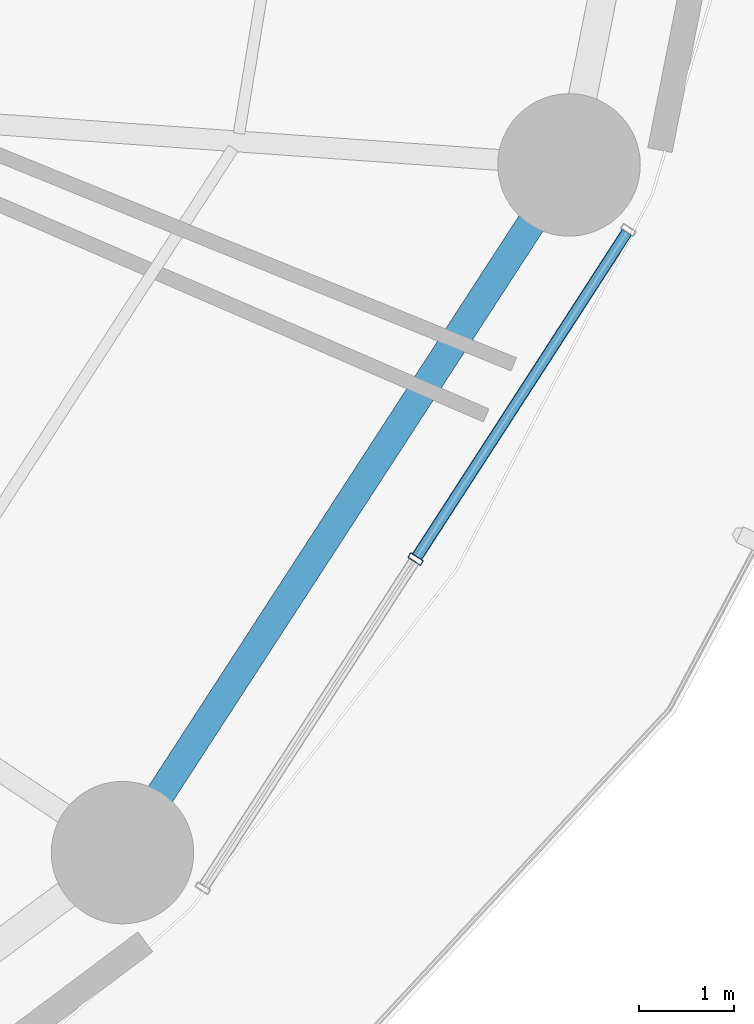
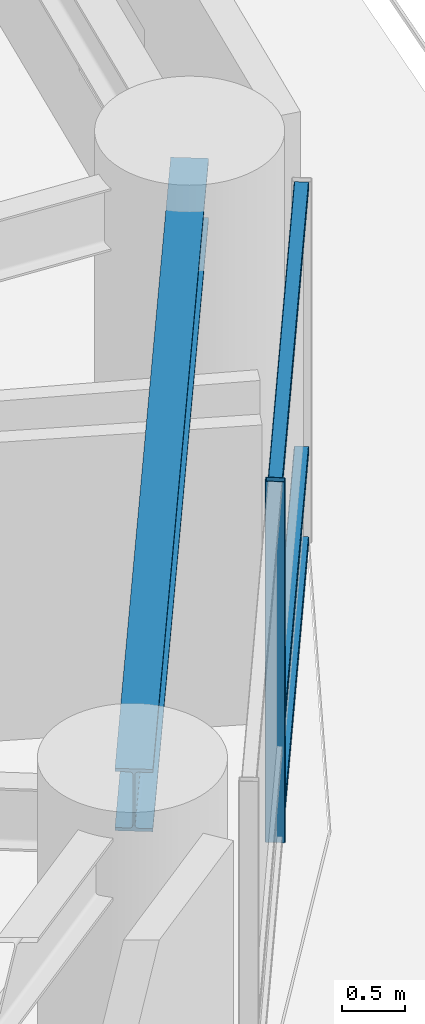
# One storey, part 11 of 35: 4 members, 1 beam, 1 element without a shape of its own.
"""IFC4 building model written with IfcOpenShell, lengths in metres."""

from ifc_helpers import new_model, si_unit, direction, frame, origin, origin_2d, place, context, subcontext, project, spatial, hollow_rectangle, i_section, extrude, material, layer, layer_set, material_profile, profile_set, type_object, element, aggregate, save


model = new_model("IFC4")

# Units and contexts
model_context = context("Model", 3, precision=1e-05, world=origin(), true_north=direction((0.0, 1.0)))
body_context = subcontext(model_context, "Body", "Model", "MODEL_VIEW")
ifc_project = project(units=[si_unit("LENGTHUNIT", "METRE"), si_unit("AREAUNIT", "SQUARE_METRE"), si_unit("VOLUMEUNIT", "CUBIC_METRE"), si_unit("PLANEANGLEUNIT", "RADIAN"), si_unit("MASSUNIT", "GRAM", prefix="KILO")], contexts=[model_context])

# Site, building, storey
site_placement = place(None, origin())
site = spatial("IfcSite", under=ifc_project, at=site_placement, CompositionType="ELEMENT")
building_placement = place(site_placement, origin())
building = spatial("IfcBuilding", under=site, at=building_placement, Name="Kelanora Arch Commons", CompositionType="ELEMENT")
storey_placement = place(building_placement, frame((0.0, 0.0, 22.5)))
storey = spatial("IfcBuildingStorey", under=building, at=storey_placement, Name="L05", CompositionType="ELEMENT", Elevation=22.5)

# Beam
ifc_material_1 = material(Name="Steel S355", Category="steel")
ifc_material_profile_1 = material_profile(ifc_material_1, i_section(OverallWidth=0.300048828125, OverallDepth=0.60009765625, WebThickness=0.015380859375, FlangeThickness=0.030029296875, FilletRadius=0.027099609375, at=origin_2d()), Name="HEB600")
ifc_profile_set_1 = profile_set([ifc_material_profile_1], Name="Steel S355")
beam_type = type_object("IfcBeamType", Name="BM-SPN-Z1", PredefinedType="SPANDREL", material=ifc_profile_set_1)
beam_placement = place(storey_placement, frame((94.8642578125, 42.706298828125, 3.18994140625), z_axis=(0.544583445345, 0.83870666568, 0.0), x_axis=(-0.83870666568, 0.544583445345, 0.0)))
element("IfcBeam", 1, at=beam_placement, inside=storey, type_object=beam_type, Name="Perimeter Spandrel Beam BS-32 L05", PredefinedType="SPANDREL", context=body_context, shape_type="SweptSolid", body=[
    extrude(i_section(OverallWidth=0.300048828125, OverallDepth=0.60009765625, WebThickness=0.015380859375, FlangeThickness=0.030029296875, FilletRadius=0.027099609375, at=origin_2d()), origin(), (0.0, 0.0, 1.0), 8.415283203125),
])

# Curtain wall, members
ifc_material_2 = material(Name="Terracotta ceramic-fritted low-E glass and aluminium", Category="masonry")
ifc_layer = layer(ifc_material_2, 0.159912109375)
ifc_layer_set = layer_set([ifc_layer], Name="Terracotta ceramic-fritted low-E glass and aluminium")
curtain_wall_type = type_object("IfcCurtainWallType", Name="CW-SYS-01", PredefinedType="NOTDEFINED", material=ifc_layer_set)
curtain_wall_placement = place(storey_placement, origin())
curtain_wall = element("IfcCurtainWall", 2, at=curtain_wall_placement, inside=storey, type_object=curtain_wall_type, Name="Unitised Curtain Wall L05-B16", PredefinedType="NOTDEFINED")
ifc_material_3 = material(Name="Powder-coated aluminium terracotta", Category="masonry")
ifc_material_profile_2 = material_profile(ifc_material_3, hollow_rectangle(XDim=0.159912109375, YDim=0.06005859375, WallThickness=0.0048828125, InnerFilletRadius=0.0048828125, OuterFilletRadius=0.010009765625, at=origin_2d()), Name="CWM160x60")
ifc_profile_set_2 = profile_set([ifc_material_profile_2], Name="Powder-coated aluminium terracotta")
member_type_1 = type_object("IfcMemberType", Name="CWM-STD", PredefinedType="MULLION", material=ifc_profile_set_2)
member_1_placement = place(storey_placement, frame((97.830810546875, 45.61328125, 0.0), z_axis=(0.0, 0.0, 1.0), x_axis=(-0.83972982332, 0.543004441812, 0.0)))
member_1 = element("IfcMember", 3, at=member_1_placement, type_object=member_type_1, Name="CW-01 mullion 2", PredefinedType="MULLION", context=body_context, shape_type="SweptSolid", body=[
    extrude(hollow_rectangle(XDim=0.159912109375, YDim=0.06005859375, WallThickness=0.0048828125, InnerFilletRadius=0.0048828125, OuterFilletRadius=0.010009765625, at=origin_2d()), origin(), (0.0, 0.0, 1.0), 3.47509765625),
])
ifc_material_profile_3 = material_profile(ifc_material_3, hollow_rectangle(XDim=0.1201171875, YDim=0.06005859375, WallThickness=0.0048828125, InnerFilletRadius=0.0048828125, OuterFilletRadius=0.010009765625, at=origin_2d()), Name="CWT120x60")
ifc_profile_set_3 = profile_set([ifc_material_profile_3], Name="Powder-coated aluminium terracotta")
member_type_2 = type_object("IfcMemberType", Name="CWT-STD", PredefinedType="USERDEFINED", material=ifc_profile_set_3)
member_2_placement = place(storey_placement, frame((97.84716796875, 45.638671875, 0.030029296875), z_axis=(0.542997414293, 0.839734367566, 0.0), x_axis=(-0.839734367566, 0.542997414293, 0.0)))
member_2 = element("IfcMember", 4, at=member_2_placement, type_object=member_type_2, Name="CW-01 transom 2.1", ObjectType="TRANSOM", PredefinedType="USERDEFINED", context=body_context, shape_type="SweptSolid", body=[
    extrude(hollow_rectangle(XDim=0.1201171875, YDim=0.06005859375, WallThickness=0.0048828125, InnerFilletRadius=0.0048828125, OuterFilletRadius=0.010009765625, at=origin_2d()), origin(), (0.0, 0.0, 1.0), 4.067626953125),
])
member_3_placement = place(storey_placement, frame((97.84716796875, 45.638671875, 0.89990234375), z_axis=(0.542997414293, 0.839734367566, 0.0), x_axis=(-0.839734367566, 0.542997414293, 0.0)))
member_3 = element("IfcMember", 5, at=member_3_placement, type_object=member_type_2, Name="CW-01 transom 2.2", ObjectType="TRANSOM", PredefinedType="USERDEFINED", context=body_context, shape_type="SweptSolid", body=[
    extrude(hollow_rectangle(XDim=0.1201171875, YDim=0.06005859375, WallThickness=0.0048828125, InnerFilletRadius=0.0048828125, OuterFilletRadius=0.010009765625, at=origin_2d()), origin(), (0.0, 0.0, 1.0), 4.067626953125),
])
member_4_placement = place(storey_placement, frame((97.84716796875, 45.638671875, 3.445068359375), z_axis=(0.542997414293, 0.839734367566, 0.0), x_axis=(-0.839734367566, 0.542997414293, 0.0)))
member_4 = element("IfcMember", 6, at=member_4_placement, type_object=member_type_2, Name="CW-01 transom 2.3", ObjectType="TRANSOM", PredefinedType="USERDEFINED", context=body_context, shape_type="SweptSolid", body=[
    extrude(hollow_rectangle(XDim=0.1201171875, YDim=0.06005859375, WallThickness=0.0048828125, InnerFilletRadius=0.0048828125, OuterFilletRadius=0.010009765625, at=origin_2d()), origin(), (0.0, 0.0, 1.0), 4.067626953125),
])
aggregate(curtain_wall, [member_1, member_2, member_3, member_4])

save(model, "model.ifc")
